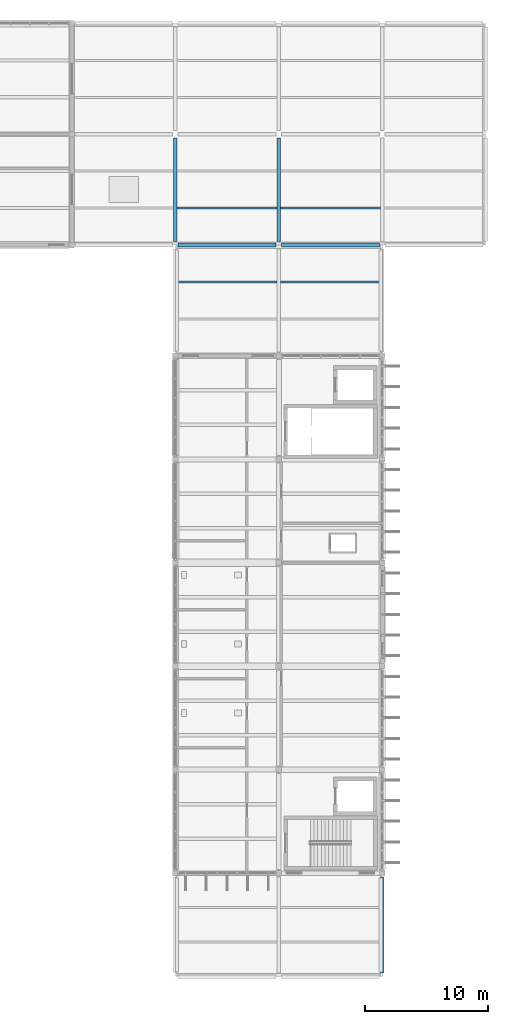
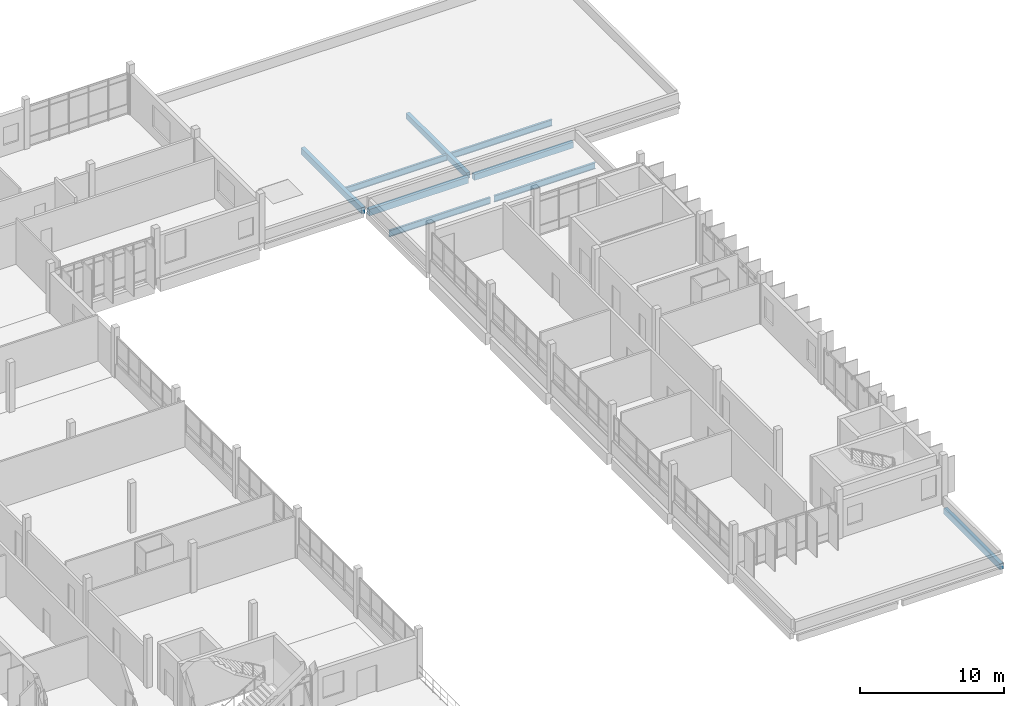
# One storey, part 30 of 62: 9 beams.
"""IFC4 building model written with IfcOpenShell, lengths in metres."""

from ifc_helpers import new_model, si_unit, direction, frame, origin, origin_2d, place, context, subcontext, project, spatial, rectangle, i_section, extrude, material, material_profile, profile_set, type_object, element, save


model = new_model("IFC4")

# Units and contexts
model_context = context("Model", 3, precision=1e-05, world=origin(), true_north=direction((0.0, 1.0)))
body_context = subcontext(model_context, "Body", "Model", "MODEL_VIEW")
ifc_project = project(units=[si_unit("LENGTHUNIT", "METRE"), si_unit("AREAUNIT", "SQUARE_METRE"), si_unit("VOLUMEUNIT", "CUBIC_METRE"), si_unit("PLANEANGLEUNIT", "RADIAN"), si_unit("MASSUNIT", "GRAM", prefix="KILO")], contexts=[model_context])

# Site, building, storey
site_placement = place(None, origin())
site = spatial("IfcSite", under=ifc_project, at=site_placement, CompositionType="ELEMENT")
building_placement = place(site_placement, origin())
building = spatial("IfcBuilding", under=site, at=building_placement, Name="Vireocrest Preparatory School", CompositionType="ELEMENT")
storey_placement = place(building_placement, frame((0.0, 0.0, 17.39990234375)))
storey = spatial("IfcBuildingStorey", under=building, at=storey_placement, Name="L04", CompositionType="ELEMENT", Elevation=17.39990234375)

# Beams
ifc_material_1 = material(Name="Structural steel ASTM A992 Grade 50", Category="steel")
ifc_material_profile_1 = material_profile(ifc_material_1, i_section(OverallWidth=0.166015625, OverallDepth=0.529052734375, WebThickness=0.009765625, FlangeThickness=0.013671875, FilletRadius=0.014892578125, at=origin_2d()), Name="W21X50")
ifc_profile_set_1 = profile_set([ifc_material_profile_1], Name="Structural steel ASTM A992 Grade 50")
beam_type_1 = type_object("IfcBeamType", Name="Pavilion Roof Joist W21X50", PredefinedType="JOIST", material=ifc_profile_set_1)
for number, where, z_axis, x_axis, name in (
    (1, (92.550048828125, 91.800048828125, -0.484375), (1.0, 0.0, 0.0), (0.0, 1.0, 0.0), "Secondary Joist SJ1 L04-1494"),
    (2, (92.550048828125, 97.800048828125, -0.484375), (1.0, 0.0, 0.0), (0.0, 1.0, 0.0), "Secondary Joist SJ1 L04-1495"),
):
    element("IfcBeam", number, at=place(storey_placement, frame(where, z_axis=z_axis, x_axis=x_axis)), inside=storey, type_object=beam_type_1, Name=name, PredefinedType="JOIST", context=body_context, shape_type="SweptSolid", body=[
        extrude(i_section(OverallWidth=0.166015625, OverallDepth=0.529052734375, WebThickness=0.009765625, FlangeThickness=0.013671875, FilletRadius=0.014892578125, at=origin_2d()), origin(), (0.0, 0.0, 1.0), 8.099853515625),
    ])
for number, where, z_axis, x_axis, name in (
    (3, (100.949951171875, 91.800048828125, -0.484375), (1.0, 0.0, 0.0), (0.0, 1.0, 0.0), "Secondary Joist SJ1 L04-1508"),
    (4, (100.949951171875, 97.800048828125, -0.484375), (1.0, 0.0, 0.0), (0.0, 1.0, 0.0), "Secondary Joist SJ1 L04-1509"),
):
    element("IfcBeam", number, at=place(storey_placement, frame(where, z_axis=z_axis, x_axis=x_axis)), inside=storey, type_object=beam_type_1, Name=name, PredefinedType="JOIST", context=body_context, shape_type="SweptSolid", body=[
        extrude(i_section(OverallWidth=0.166015625, OverallDepth=0.529052734375, WebThickness=0.009765625, FlangeThickness=0.013671875, FilletRadius=0.014892578125, at=origin_2d()), origin(), (0.0, 0.0, 1.0), 8.10009765625),
    ])
ifc_material_2 = material(Name="Concrete 40 MPa", Category="concrete")
ifc_material_profile_2 = material_profile(ifc_material_2, rectangle(XDim=0.300048828125, YDim=0.5, at=origin_2d()), Name="RC 300x500")
ifc_profile_set_2 = profile_set([ifc_material_profile_2], Name="Concrete 40 MPa")
beam_type_2 = type_object("IfcBeamType", Name="RC Roof Edge Beam 300x500", PredefinedType="BEAM", material=ifc_profile_set_2)
beam_1_placement = place(storey_placement, frame((101.02490234375, 94.800048828125, -0.469970703125), z_axis=(1.0, 0.0, 0.0), x_axis=(0.0, 1.0, 0.0)))
element("IfcBeam", 5, at=beam_1_placement, inside=storey, type_object=beam_type_2, Name="Primary Girder B01 L04-1333", PredefinedType="BEAM", context=body_context, shape_type="SweptSolid", body=[
    extrude(rectangle(XDim=0.300048828125, YDim=0.5, at=origin_2d()), origin(), (0.0, 0.0, 1.0), 7.9501953125),
])
beam_2_placement = place(storey_placement, frame((100.800048828125, 95.10009765625, -0.469970703125), z_axis=(0.0, 1.0, 0.0), x_axis=(-1.0, 0.0, 0.0)))
element("IfcBeam", 6, at=beam_2_placement, inside=storey, type_object=beam_type_2, Name="Primary Girder B01 L04-1408", PredefinedType="BEAM", context=body_context, shape_type="SweptSolid", body=[
    extrude(rectangle(XDim=0.300048828125, YDim=0.5, at=origin_2d()), origin(), (0.0, 0.0, 1.0), 8.39990234375),
])
beam_3_placement = place(storey_placement, frame((109.199951171875, 35.699951171875, -0.469970703125), z_axis=(0.0, 1.0, 0.0), x_axis=(-1.0, 0.0, 0.0)))
element("IfcBeam", 7, at=beam_3_placement, inside=storey, type_object=beam_type_2, Name="Primary Girder B01 L04-1410", PredefinedType="BEAM", context=body_context, shape_type="SweptSolid", body=[
    extrude(rectangle(XDim=0.300048828125, YDim=0.5, at=origin_2d()), origin(), (0.0, 0.0, 1.0), 7.800048828125),
])
ifc_material_profile_3 = material_profile(ifc_material_2, rectangle(XDim=0.300048828125, YDim=0.550048828125, at=origin_2d()), Name="RC 300x550")
ifc_profile_set_3 = profile_set([ifc_material_profile_3], Name="Concrete 40 MPa")
beam_type_3 = type_object("IfcBeamType", Name="RC Roof Girder 300x550", PredefinedType="BEAM", material=ifc_profile_set_3)
beam_4_placement = place(storey_placement, frame((92.625, 94.800048828125, -0.494873046875), z_axis=(1.0, 0.0, 0.0), x_axis=(0.0, 1.0, 0.0)))
element("IfcBeam", 8, at=beam_4_placement, inside=storey, type_object=beam_type_3, Name="Primary Girder B02 L04-1332", PredefinedType="BEAM", context=body_context, shape_type="SweptSolid", body=[
    extrude(rectangle(XDim=0.300048828125, YDim=0.550048828125, at=origin_2d()), origin(), (0.0, 0.0, 1.0), 7.949951171875),
])
beam_5_placement = place(storey_placement, frame((92.39990234375, 95.10009765625, -0.494873046875), z_axis=(0.0, 1.0, 0.0), x_axis=(-1.0, 0.0, 0.0)))
element("IfcBeam", 9, at=beam_5_placement, inside=storey, type_object=beam_type_3, Name="Primary Girder B02 L04-1399", PredefinedType="BEAM", context=body_context, shape_type="SweptSolid", body=[
    extrude(rectangle(XDim=0.300048828125, YDim=0.550048828125, at=origin_2d()), origin(), (0.0, 0.0, 1.0), 8.39990234375),
])

save(model, "model.ifc")
